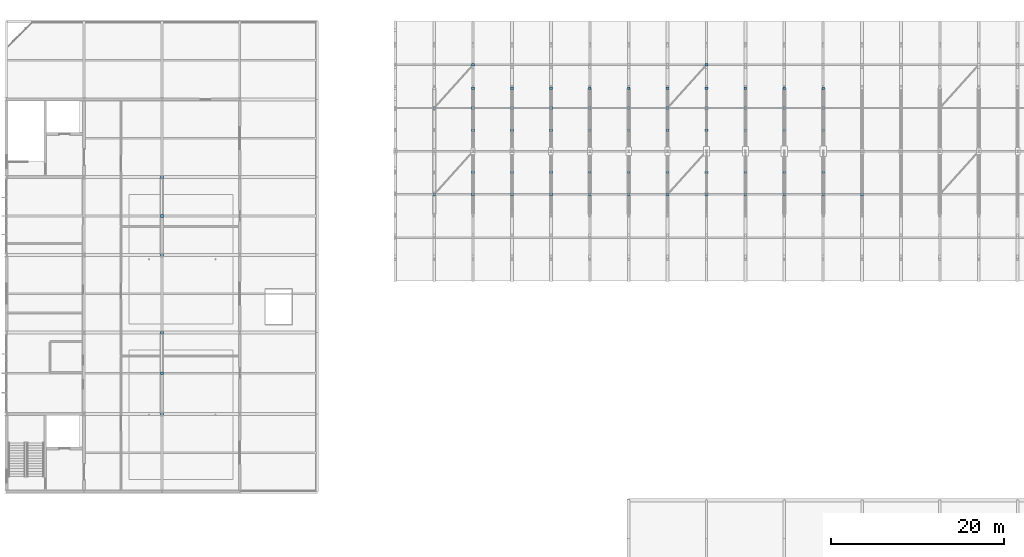
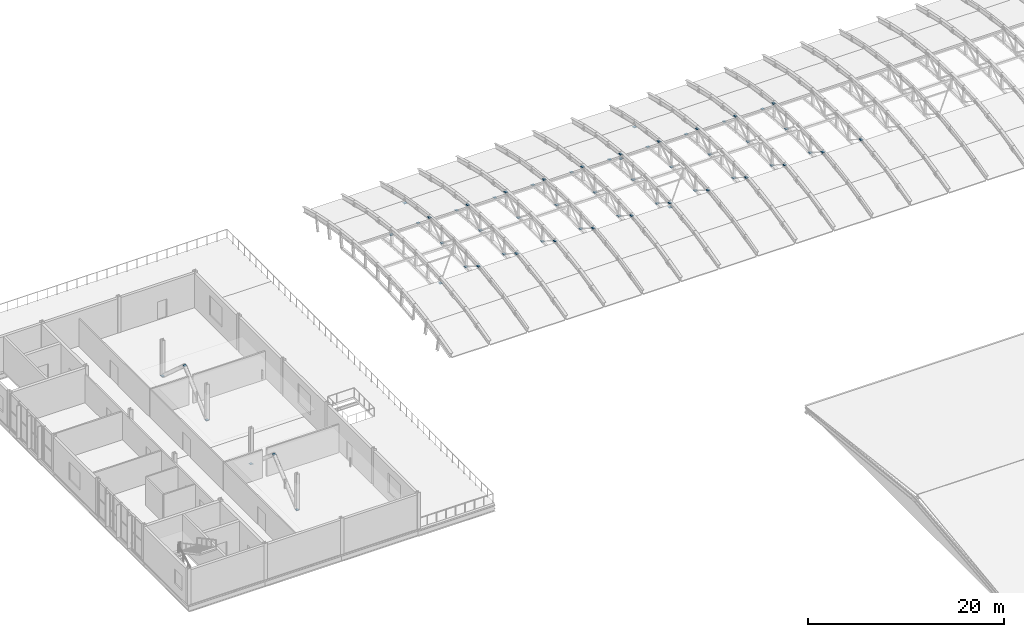
# One storey, part 48 of 53: 63 discrete accessories.
"""IFC4 building model written with IfcOpenShell, lengths in metres."""

from ifc_helpers import new_model, si_unit, direction, frame, origin, origin_2d, place, context, subcontext, project, spatial, rectangle, extrude, material, type_object, element, save


model = new_model("IFC4")

# Units and contexts
model_context = context("Model", 3, precision=1e-05, world=origin(), true_north=direction((0.0, 1.0)))
body_context = subcontext(model_context, "Body", "Model", "MODEL_VIEW")
ifc_project = project(units=[si_unit("LENGTHUNIT", "METRE"), si_unit("AREAUNIT", "SQUARE_METRE"), si_unit("VOLUMEUNIT", "CUBIC_METRE"), si_unit("PLANEANGLEUNIT", "RADIAN"), si_unit("MASSUNIT", "GRAM", prefix="KILO")], contexts=[model_context])

# Site, building, storey
site_placement = place(None, origin())
site = spatial("IfcSite", under=ifc_project, at=site_placement, CompositionType="ELEMENT")
building_placement = place(site_placement, origin())
building = spatial("IfcBuilding", under=site, at=building_placement, Name="Cazmaro Siding Exhibition Halls", CompositionType="ELEMENT")
storey_placement = place(building_placement, frame((0.0, 0.0, 21.0)))
storey = spatial("IfcBuildingStorey", under=building, at=storey_placement, Name="L04", CompositionType="ELEMENT", Elevation=21.0)

# Discrete accessories
ifc_material = material(Name="Steel ASTM A572 Grade 50", Category="steel")
discrete_accessory_type = type_object("IfcDiscreteAccessoryType", Name="GP-CONN-01", PredefinedType="BRACKET", material=ifc_material)
for number, where, z_axis, x_axis, name in (
    (1, (18.0, 63.60009765625, -0.01513671875), (0.0, 0.0, 1.0), (1.0, 0.0, 0.0), "Welded Steel Brace Node Gusset Connection GP-01 0028"),
    (2, (18.0, 68.300048828125, 4.0048828125), (0.0, 0.0, 1.0), (1.0, 0.0, 0.0), "Welded Steel Brace Node Gusset Connection GP-01 0032"),
    (3, (18.0, 73.0, -0.01513671875), (0.0, 0.0, 1.0), (1.0, 0.0, 0.0), "Welded Steel Brace Node Gusset Connection GP-01 0036"),
    (4, (18.0, 82.0, -0.01513671875), (0.0, 0.0, 1.0), (1.0, 0.0, 0.0), "Welded Steel Brace Node Gusset Connection GP-01 0040"),
    (5, (18.0, 86.5, 4.0048828125), (0.0, 0.0, 1.0), (1.0, 0.0, 0.0), "Welded Steel Brace Node Gusset Connection GP-01 0044"),
    (6, (18.0, 91.0, -0.01513671875), (0.0, 0.0, 1.0), (1.0, 0.0, 0.0), "Welded Steel Brace Node Gusset Connection GP-01 0048"),
    (7, (49.5, 89.0, 1.7109375), (0.0, 0.0, 1.0), (1.0, 0.0, 0.0), "Welded Steel Brace Node Gusset Connection GP-01 0078"),
    (8, (49.5, 99.0, 1.7109375), (0.0, 0.0, 1.0), (1.0, 0.0, 0.0), "Welded Steel Brace Node Gusset Connection GP-01 0079"),
    (9, (54.0, 89.0, 2.2509765625), (0.0, 0.0, 1.0), (1.0, 0.0, 0.0), "Welded Steel Brace Node Gusset Connection GP-01 0101"),
    (10, (54.0, 91.570068359375, 0.62890625), (0.0, 0.0, 1.0), (1.0, 0.0, 0.0), "Welded Steel Brace Node Gusset Connection GP-01 0102"),
    (11, (54.0, 96.429931640625, 0.62890625), (0.0, 0.0, 1.0), (1.0, 0.0, 0.0), "Welded Steel Brace Node Gusset Connection GP-01 0103"),
    (12, (54.0, 99.0, 2.2509765625), (0.0, 0.0, 1.0), (1.0, 0.0, 0.0), "Welded Steel Brace Node Gusset Connection GP-01 0104"),
    (13, (54.0, 101.2900390625, 0.171875), (0.0, 0.0, 1.0), (1.0, 0.0, 0.0), "Welded Steel Brace Node Gusset Connection GP-01 0105"),
    (14, (54.0, 104.0, 1.001953125), (0.0, 0.0, 1.0), (1.0, 0.0, 0.0), "Welded Steel Brace Node Gusset Connection GP-01 0106"),
    (15, (58.5, 89.0, 2.2509765625), (0.0, 0.0, 1.0), (1.0, 0.0, 0.0), "Welded Steel Brace Node Gusset Connection GP-01 0125"),
    (16, (58.5, 91.570068359375, 0.62890625), (0.0, 0.0, 1.0), (1.0, 0.0, 0.0), "Welded Steel Brace Node Gusset Connection GP-01 0126"),
    (17, (58.5, 96.429931640625, 0.62890625), (0.0, 0.0, 1.0), (1.0, 0.0, 0.0), "Welded Steel Brace Node Gusset Connection GP-01 0127"),
    (18, (58.5, 99.0, 2.2509765625), (0.0, 0.0, 1.0), (1.0, 0.0, 0.0), "Welded Steel Brace Node Gusset Connection GP-01 0128"),
    (19, (58.5, 101.2900390625, 0.171875), (0.0, 0.0, 1.0), (1.0, 0.0, 0.0), "Welded Steel Brace Node Gusset Connection GP-01 0129"),
    (20, (63.0, 89.0, 2.2509765625), (0.0, 0.0, 1.0), (1.0, 0.0, 0.0), "Welded Steel Brace Node Gusset Connection GP-01 0147"),
    (21, (63.0, 91.570068359375, 0.62890625), (0.0, 0.0, 1.0), (1.0, 0.0, 0.0), "Welded Steel Brace Node Gusset Connection GP-01 0148"),
    (22, (63.0, 96.429931640625, 0.62890625), (0.0, 0.0, 1.0), (1.0, 0.0, 0.0), "Welded Steel Brace Node Gusset Connection GP-01 0149"),
    (23, (63.0, 99.0, 2.2509765625), (0.0, 0.0, 1.0), (1.0, 0.0, 0.0), "Welded Steel Brace Node Gusset Connection GP-01 0150"),
    (24, (63.0, 101.2900390625, 0.171875), (0.0, 0.0, 1.0), (1.0, 0.0, 0.0), "Welded Steel Brace Node Gusset Connection GP-01 0151"),
    (25, (67.5, 89.0, 2.2509765625), (0.0, 0.0, 1.0), (1.0, 0.0, 0.0), "Welded Steel Brace Node Gusset Connection GP-01 0169"),
    (26, (67.5, 91.570068359375, 0.62890625), (0.0, 0.0, 1.0), (1.0, 0.0, 0.0), "Welded Steel Brace Node Gusset Connection GP-01 0170"),
    (27, (67.5, 96.429931640625, 0.62890625), (0.0, 0.0, 1.0), (1.0, 0.0, 0.0), "Welded Steel Brace Node Gusset Connection GP-01 0171"),
    (28, (67.5, 99.0, 2.2509765625), (0.0, 0.0, 1.0), (1.0, 0.0, 0.0), "Welded Steel Brace Node Gusset Connection GP-01 0172"),
    (29, (67.5, 101.2900390625, 0.171875), (0.0, 0.0, 1.0), (1.0, 0.0, 0.0), "Welded Steel Brace Node Gusset Connection GP-01 0173"),
    (30, (72.0, 89.0, 2.2509765625), (0.0, 0.0, 1.0), (1.0, 0.0, 0.0), "Welded Steel Brace Node Gusset Connection GP-01 0202"),
    (31, (72.0, 91.570068359375, 0.62890625), (0.0, 0.0, 1.0), (1.0, 0.0, 0.0), "Welded Steel Brace Node Gusset Connection GP-01 0203"),
    (32, (72.0, 96.429931640625, 0.62890625), (0.0, 0.0, 1.0), (1.0, 0.0, 0.0), "Welded Steel Brace Node Gusset Connection GP-01 0204"),
    (33, (72.0, 99.0, 2.2509765625), (0.0, 0.0, 1.0), (1.0, 0.0, 0.0), "Welded Steel Brace Node Gusset Connection GP-01 0205"),
    (34, (72.0, 101.2900390625, 0.171875), (0.0, 0.0, 1.0), (1.0, 0.0, 0.0), "Welded Steel Brace Node Gusset Connection GP-01 0206"),
    (35, (76.5, 89.0, 1.7109375), (0.0, 0.0, 1.0), (1.0, 0.0, 0.0), "Welded Steel Brace Node Gusset Connection GP-01 0226"),
    (36, (76.5, 89.0, 2.2509765625), (0.0, 0.0, 1.0), (1.0, 0.0, 0.0), "Welded Steel Brace Node Gusset Connection GP-01 0227"),
    (37, (76.5, 91.570068359375, 0.62890625), (0.0, 0.0, 1.0), (1.0, 0.0, 0.0), "Welded Steel Brace Node Gusset Connection GP-01 0228"),
    (38, (76.5, 96.429931640625, 0.62890625), (0.0, 0.0, 1.0), (1.0, 0.0, 0.0), "Welded Steel Brace Node Gusset Connection GP-01 0229"),
    (39, (76.5, 99.0, 1.7109375), (0.0, 0.0, 1.0), (1.0, 0.0, 0.0), "Welded Steel Brace Node Gusset Connection GP-01 0230"),
    (40, (76.5, 99.0, 2.2509765625), (0.0, 0.0, 1.0), (1.0, 0.0, 0.0), "Welded Steel Brace Node Gusset Connection GP-01 0231"),
    (41, (76.5, 101.2900390625, 0.171875), (0.0, 0.0, 1.0), (1.0, 0.0, 0.0), "Welded Steel Brace Node Gusset Connection GP-01 0232"),
    (42, (81.0, 89.0, 2.2509765625), (0.0, 0.0, 1.0), (1.0, 0.0, 0.0), "Welded Steel Brace Node Gusset Connection GP-01 0264"),
    (43, (81.0, 91.570068359375, 0.62890625), (0.0, 0.0, 1.0), (1.0, 0.0, 0.0), "Welded Steel Brace Node Gusset Connection GP-01 0265"),
    (44, (81.0, 96.429931640625, 0.62890625), (0.0, 0.0, 1.0), (1.0, 0.0, 0.0), "Welded Steel Brace Node Gusset Connection GP-01 0266"),
    (45, (81.0, 99.0, 2.2509765625), (0.0, 0.0, 1.0), (1.0, 0.0, 0.0), "Welded Steel Brace Node Gusset Connection GP-01 0267"),
    (46, (81.0, 101.2900390625, 0.171875), (0.0, 0.0, 1.0), (1.0, 0.0, 0.0), "Welded Steel Brace Node Gusset Connection GP-01 0268"),
    (47, (81.0, 104.0, 1.001953125), (0.0, 0.0, 1.0), (1.0, 0.0, 0.0), "Welded Steel Brace Node Gusset Connection GP-01 0269"),
    (48, (85.5, 89.0, 2.2509765625), (0.0, 0.0, 1.0), (1.0, 0.0, 0.0), "Welded Steel Brace Node Gusset Connection GP-01 0288"),
    (49, (85.5, 91.570068359375, 0.62890625), (0.0, 0.0, 1.0), (1.0, 0.0, 0.0), "Welded Steel Brace Node Gusset Connection GP-01 0289"),
    (50, (85.5, 96.429931640625, 0.62890625), (0.0, 0.0, 1.0), (1.0, 0.0, 0.0), "Welded Steel Brace Node Gusset Connection GP-01 0290"),
    (51, (85.5, 99.0, 2.2509765625), (0.0, 0.0, 1.0), (1.0, 0.0, 0.0), "Welded Steel Brace Node Gusset Connection GP-01 0291"),
    (52, (85.5, 101.2900390625, 0.171875), (0.0, 0.0, 1.0), (1.0, 0.0, 0.0), "Welded Steel Brace Node Gusset Connection GP-01 0292"),
    (53, (90.0, 89.0, 2.2509765625), (0.0, 0.0, 1.0), (1.0, 0.0, 0.0), "Welded Steel Brace Node Gusset Connection GP-01 0321"),
    (54, (90.0, 91.570068359375, 0.62890625), (0.0, 0.0, 1.0), (1.0, 0.0, 0.0), "Welded Steel Brace Node Gusset Connection GP-01 0322"),
    (55, (90.0, 96.429931640625, 0.62890625), (0.0, 0.0, 1.0), (1.0, 0.0, 0.0), "Welded Steel Brace Node Gusset Connection GP-01 0323"),
    (56, (90.0, 99.0, 2.2509765625), (0.0, 0.0, 1.0), (1.0, 0.0, 0.0), "Welded Steel Brace Node Gusset Connection GP-01 0324"),
    (57, (90.0, 101.2900390625, 0.171875), (0.0, 0.0, 1.0), (1.0, 0.0, 0.0), "Welded Steel Brace Node Gusset Connection GP-01 0325"),
    (58, (94.5, 89.0, 2.2509765625), (0.0, 0.0, 1.0), (1.0, 0.0, 0.0), "Welded Steel Brace Node Gusset Connection GP-01 0343"),
    (59, (94.5, 91.570068359375, 0.62890625), (0.0, 0.0, 1.0), (1.0, 0.0, 0.0), "Welded Steel Brace Node Gusset Connection GP-01 0344"),
    (60, (94.5, 96.429931640625, 0.62890625), (0.0, 0.0, 1.0), (1.0, 0.0, 0.0), "Welded Steel Brace Node Gusset Connection GP-01 0345"),
    (61, (94.5, 99.0, 2.2509765625), (0.0, 0.0, 1.0), (1.0, 0.0, 0.0), "Welded Steel Brace Node Gusset Connection GP-01 0346"),
    (62, (94.5, 101.2900390625, 0.171875), (0.0, 0.0, 1.0), (1.0, 0.0, 0.0), "Welded Steel Brace Node Gusset Connection GP-01 0347"),
    (63, (99.0, 89.0, 2.2509765625), (0.0, 0.0, 1.0), (1.0, 0.0, 0.0), "Welded Steel Brace Node Gusset Connection GP-01 0376"),
):
    element("IfcDiscreteAccessory", number, at=place(storey_placement, frame(where, z_axis=z_axis, x_axis=x_axis)), inside=storey, type_object=discrete_accessory_type, Name=name, PredefinedType="BRACKET", context=body_context, shape_type="SweptSolid", body=[
        extrude(rectangle(XDim=0.320068359375, YDim=0.320068359375, at=origin_2d()), origin(), (0.0, 0.0, 1.0), 0.030029296875),
    ])

save(model, "model.ifc")
